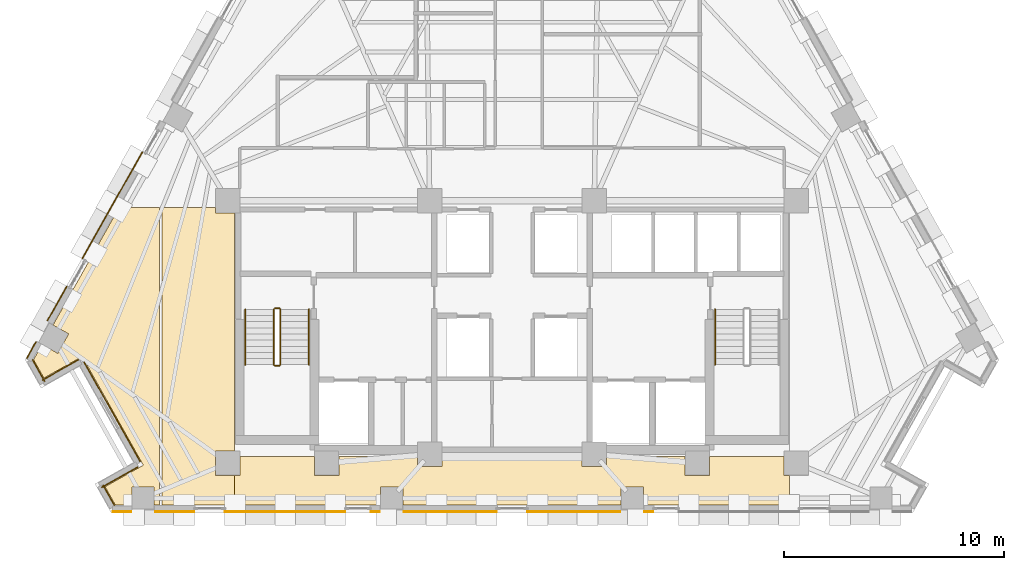
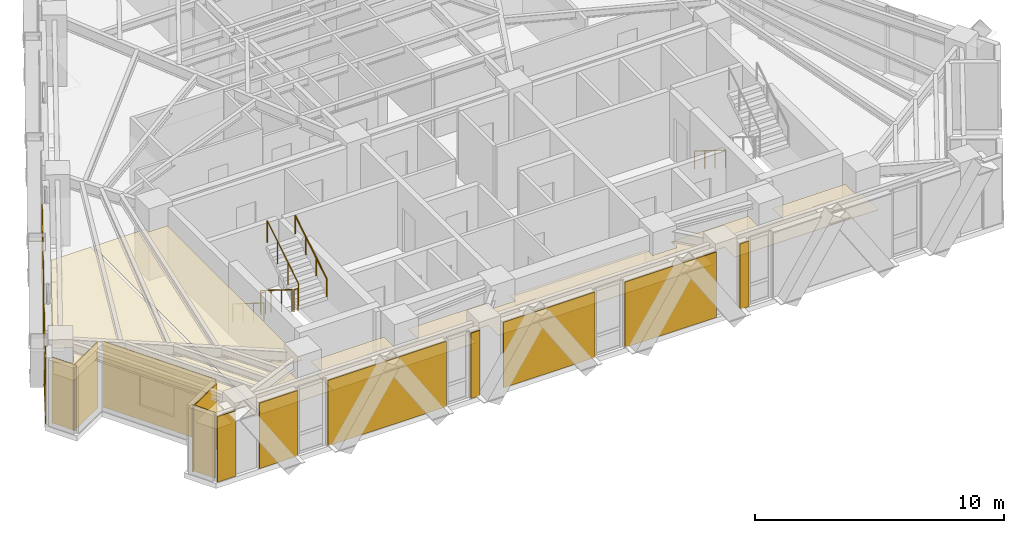
# One storey, part 10 of 13: 18 coverings, 7 railings.
"""IFC4 building model written with IfcOpenShell, lengths in metres."""

from ifc_helpers import new_model, si_unit, direction, frame, origin, origin_2d, place, context, subcontext, project, spatial, polyline, circle, outline, extrude, material, layer, layer_set, type_object, element, save


model = new_model("IFC4")

# Units and contexts
model_context = context("Model", 3, precision=1e-05, world=origin(), true_north=direction((0.0, 1.0)))
body_context = subcontext(model_context, "Body", "Model", "MODEL_VIEW")
ifc_project = project(units=[si_unit("LENGTHUNIT", "METRE"), si_unit("AREAUNIT", "SQUARE_METRE"), si_unit("VOLUMEUNIT", "CUBIC_METRE"), si_unit("PLANEANGLEUNIT", "RADIAN"), si_unit("MASSUNIT", "GRAM", prefix="KILO")], contexts=[model_context])

# Site, building, storey
site_placement = place(None, origin())
site = spatial("IfcSite", under=ifc_project, at=site_placement, CompositionType="ELEMENT")
building_placement = place(site_placement, origin())
building = spatial("IfcBuilding", under=site, at=building_placement, Name="Quenlor Broadcast Tower", CompositionType="ELEMENT")
storey_placement = place(building_placement, frame((0.0, 0.0, 147.5)))
storey = spatial("IfcBuildingStorey", under=building, at=storey_placement, Name="L40", CompositionType="ELEMENT", Elevation=147.5)

# Coverings
ifc_material_1 = material(Name="Acoustic Mineral Fibre Board", Category="other")
ifc_layer_1 = layer(ifc_material_1, 0.02490234375)
ifc_layer_set_1 = layer_set([ifc_layer_1], Name="Acoustic Perforated Mineral Tile Ceiling 25")
covering_type_1 = type_object("IfcCoveringType", Name="Acoustic Perforated Mineral Tile Ceiling 25", PredefinedType="CEILING", material=ifc_layer_set_1)
covering_1_placement = place(storey_placement, frame((0.0, 0.0, 2.375)))
element("IfcCovering", 1, at=covering_1_placement, inside=storey, type_object=covering_type_1, Name="L40 Acoustic Ceiling L40-35-4", PredefinedType="CEILING", context=body_context, shape_type="SweptSolid", body=[
    extrude(outline(polyline([(-13.508056640625, -5.35791015625), (-12.64990234375, -5.35791015625), (-12.64990234375, -16.19189453125), (-13.508056640625, -16.19189453125), (-13.508056640625, -17.30810546875), (-12.64990234375, -17.30810546875), (-12.64990234375, -18.659912109375), (-15.93994140625, -18.659912109375), (-15.93994140625, -5.1201171875), (-13.508056640625, -5.1201171875), (-13.508056640625, -5.35791015625)])), origin(), (0.0, 0.0, 1.0), 0.02490234375),
])
covering_2_placement = place(storey_placement, frame((0.0, 0.0, 2.375)))
element("IfcCovering", 2, at=covering_2_placement, inside=storey, type_object=covering_type_1, Name="L40 Acoustic Ceiling L40-35-5", PredefinedType="CEILING", context=body_context, shape_type="SweptSolid", body=[
    extrude(outline(polyline([(-16.06005859375, -18.659912109375), (-16.30029296875, -18.659912109375), (-16.30029296875, -17.842041015625), (-17.31640625, -17.842041015625), (-17.31640625, -18.659912109375), (-18.071044921875, -18.659912109375), (-18.538818359375, -17.82861328125), (-16.795654296875, -16.847900390625), (-19.580322265625, -11.8974609375), (-21.323486328125, -12.878173828125), (-21.794921875, -12.0400390625), (-21.406982421875, -11.350341796875), (-20.694091796875, -11.751220703125), (-20.19580078125, -10.86572265625), (-20.90869140625, -10.46484375), (-17.90234375, -5.1201171875), (-16.06005859375, -5.1201171875), (-16.06005859375, -18.659912109375)])), origin(), (0.0, 0.0, 1.0), 0.02490234375),
])
covering_3_placement = place(storey_placement, frame((0.0, 0.0, 2.375)))
element("IfcCovering", 3, at=covering_3_placement, inside=storey, type_object=covering_type_1, Name="L40 Acoustic Ceiling L40-35-7", PredefinedType="CEILING", context=body_context, shape_type="SweptSolid", body=[
    extrude(outline(polyline([(-12.39208984375, -17.30810546875), (-12.39208984375, -16.449951171875), (-9.008056640625, -16.449951171875), (-9.008056640625, -17.30810546875), (-7.89208984375, -17.30810546875), (-7.89208984375, -16.449951171875), (-4.30810546875, -16.449951171875), (-4.30810546875, -16.907958984375), (-3.19189453125, -16.907958984375), (-3.19189453125, -16.449951171875), (3.19189453125, -16.449951171875), (3.19189453125, -16.907958984375), (4.30810546875, -16.907958984375), (4.30810546875, -16.449951171875), (7.89208984375, -16.449951171875), (7.89208984375, -17.30810546875), (9.008056640625, -17.30810546875), (9.008056640625, -16.449951171875), (12.39208984375, -16.449951171875), (12.39208984375, -17.30810546875), (12.64990234375, -17.30810546875), (12.64990234375, -18.659912109375), (5.989013671875, -18.659912109375), (5.989013671875, -17.842041015625), (4.972900390625, -17.842041015625), (4.972900390625, -18.659912109375), (-4.972900390625, -18.659912109375), (-4.972900390625, -17.842041015625), (-5.989013671875, -17.842041015625), (-5.989013671875, -18.659912109375), (-12.64990234375, -18.659912109375), (-12.64990234375, -17.30810546875), (-12.39208984375, -17.30810546875)])), origin(), (0.0, 0.0, 1.0), 0.02490234375),
])
ifc_material_2 = material(Name="Architectural Terracotta Ceramic", Category="masonry")
ifc_layer_2 = layer(ifc_material_2, 0.044921875)
ifc_layer_set_2 = layer_set([ifc_layer_2], Name="Fluted Terracotta Rainscreen Cladding Panel")
covering_type_2 = type_object("IfcCoveringType", Name="Fluted Terracotta Rainscreen Cladding Panel", PredefinedType="CLADDING", material=ifc_layer_set_2)
covering_4_placement = place(storey_placement, frame((0.0, 0.0, 0.02001953125)))
element("IfcCovering", 4, at=covering_4_placement, inside=storey, type_object=covering_type_2, Name="L40 Terracotta Rainscreen Cladding L40-SHD-SS1", PredefinedType="CLADDING", context=body_context, shape_type="SweptSolid", body=[
    extrude(outline(polyline([(-17.343505859375, -18.93701171875), (-18.179931640625, -18.93701171875), (-18.179931640625, -18.98193359375), (-17.343505859375, -18.98193359375), (-17.343505859375, -18.93701171875)])), origin(), (0.0, 0.0, 1.0), 3.2099609375),
])
covering_5_placement = place(storey_placement, frame((0.0, 0.0, 0.02001953125)))
element("IfcCovering", 5, at=covering_5_placement, inside=storey, type_object=covering_type_2, Name="L40 Terracotta Rainscreen Cladding L40-SA-SP3", PredefinedType="CLADDING", context=body_context, shape_type="SweptSolid", body=[
    extrude(outline(polyline([(6.43603515625, -18.95703125), (6.035888671875, -18.95703125), (6.035888671875, -19.001953125), (6.43603515625, -19.001953125), (6.43603515625, -18.95703125)])), origin(), (0.0, 0.0, 1.0), 3.2099609375),
])
covering_6_placement = place(storey_placement, frame((0.0, 0.0, 0.02001953125)))
element("IfcCovering", 6, at=covering_6_placement, inside=storey, type_object=covering_type_2, Name="L40 Terracotta Rainscreen Cladding L40-SC-SP1", PredefinedType="CLADDING", context=body_context, shape_type="SweptSolid", body=[
    extrude(outline(polyline([(-6.035888671875, -18.95703125), (-6.43603515625, -18.95703125), (-6.43603515625, -19.001953125), (-6.035888671875, -19.001953125), (-6.035888671875, -18.95703125)])), origin(), (0.0, 0.0, 1.0), 3.2099609375),
])
covering_7_placement = place(storey_placement, frame((0.0, 0.0, 0.02001953125)))
element("IfcCovering", 7, at=covering_7_placement, inside=storey, type_object=covering_type_2, Name="L40 Terracotta Rainscreen Cladding L40-SC-SP2", PredefinedType="CLADDING", context=body_context, shape_type="SweptSolid", body=[
    extrude(outline(polyline([(-7.5869140625, -18.95703125), (-13.076904296875, -18.95703125), (-13.076904296875, -19.001953125), (-7.5869140625, -19.001953125), (-7.5869140625, -18.95703125)])), origin(), (0.0, 0.0, 1.0), 3.2099609375),
])
covering_8_placement = place(storey_placement, frame((0.0, 0.0, 0.02001953125)))
element("IfcCovering", 8, at=covering_8_placement, inside=storey, type_object=covering_type_2, Name="L40 Terracotta Rainscreen Cladding L40-SC-SP3", PredefinedType="CLADDING", context=body_context, shape_type="SweptSolid", body=[
    extrude(outline(polyline([(-14.47509765625, -18.95703125), (-16.25341796875, -18.95703125), (-16.25341796875, -19.001953125), (-14.47509765625, -19.001953125), (-14.47509765625, -18.95703125)])), origin(), (0.0, 0.0, 1.0), 3.2099609375),
])
covering_9_placement = place(storey_placement, frame((0.0, 0.0, 0.02001953125)))
element("IfcCovering", 9, at=covering_9_placement, inside=storey, type_object=covering_type_2, Name="L40 Terracotta Rainscreen Cladding L40-S-SP1", PredefinedType="CLADDING", context=body_context, shape_type="SweptSolid", body=[
    extrude(outline(polyline([(4.930908203125, -18.95703125), (0.698974609375, -18.95703125), (0.698974609375, -19.001953125), (4.930908203125, -19.001953125), (4.930908203125, -18.95703125)])), origin(), (0.0, 0.0, 1.0), 3.2099609375),
])
covering_10_placement = place(storey_placement, frame((0.0, 0.0, 0.02001953125)))
element("IfcCovering", 10, at=covering_10_placement, inside=storey, type_object=covering_type_2, Name="L40 Terracotta Rainscreen Cladding L40-S-SP2", PredefinedType="CLADDING", context=body_context, shape_type="SweptSolid", body=[
    extrude(outline(polyline([(-0.698974609375, -18.95703125), (-4.930908203125, -18.95703125), (-4.930908203125, -19.001953125), (-0.698974609375, -19.001953125), (-0.698974609375, -18.95703125)])), origin(), (0.0, 0.0, 1.0), 3.2099609375),
])
covering_11_placement = place(storey_placement, frame((0.0, 0.0, 0.02001953125)))
element("IfcCovering", 11, at=covering_11_placement, inside=storey, type_object=covering_type_2, Name="L40 Terracotta Rainscreen Cladding L40-SHD-NWS0", PredefinedType="CLADDING", context=body_context, shape_type="SweptSolid", body=[
    extrude(outline(polyline([(-22.0859375, -11.992431640625), (-21.66162109375, -11.23779296875), (-21.70068359375, -11.2158203125), (-22.125244140625, -11.970458984375), (-22.0859375, -11.992431640625)])), origin(), (0.0, 0.0, 1.0), 3.2099609375),
])
covering_12_placement = place(storey_placement, frame((0.0, 0.0, 0.02001953125)))
element("IfcCovering", 12, at=covering_12_placement, inside=storey, type_object=covering_type_2, Name="L40 Terracotta Rainscreen Cladding L40-NWA-SP1", PredefinedType="CLADDING", context=body_context, shape_type="SweptSolid", body=[
    extrude(outline(polyline([(-21.14453125, -10.278076171875), (-20.26416015625, -8.712646484375), (-20.30322265625, -8.690673828125), (-21.183837890625, -10.256103515625), (-21.14453125, -10.278076171875)])), origin(), (0.0, 0.0, 1.0), 3.2099609375),
])
covering_13_placement = place(storey_placement, frame((0.0, 0.0, 0.02001953125)))
element("IfcCovering", 13, at=covering_13_placement, inside=storey, type_object=covering_type_2, Name="L40 Terracotta Rainscreen Cladding L40-NWA-SP2", PredefinedType="CLADDING", context=body_context, shape_type="SweptSolid", body=[
    extrude(outline(polyline([(-19.55322265625, -7.44921875), (-16.81591796875, -2.582763671875), (-16.855224609375, -2.560791015625), (-19.592529296875, -7.42724609375), (-19.55322265625, -7.44921875)])), origin(), (0.0, 0.0, 1.0), 3.2099609375),
])
covering_14_placement = place(storey_placement, frame((0.0, 0.0, 0.02001953125)))
element("IfcCovering", 14, at=covering_14_placement, inside=storey, type_object=covering_type_2, Name="L40 Terracotta Rainscreen Cladding L40-CNR-12", PredefinedType="CLADDING", context=body_context, shape_type="SweptSolid", body=[
    extrude(outline(polyline([(-21.864501953125, -12.0546875), (-21.309326171875, -13.0419921875), (-21.27001953125, -13.02001953125), (-21.825439453125, -12.03271484375), (-21.864501953125, -12.0546875)])), origin(), (0.0, 0.0, 1.0), 3.2099609375),
])
covering_15_placement = place(storey_placement, frame((0.0, 0.0, 0.02001953125)))
element("IfcCovering", 15, at=covering_15_placement, inside=storey, type_object=covering_type_2, Name="L40 Terracotta Rainscreen Cladding L40-CNR-13", PredefinedType="CLADDING", context=body_context, shape_type="SweptSolid", body=[
    extrude(outline(polyline([(-21.385986328125, -12.9912109375), (-19.72998046875, -12.059814453125), (-19.752197265625, -12.0205078125), (-21.408203125, -12.9521484375), (-21.385986328125, -12.9912109375)])), origin(), (0.0, 0.0, 1.0), 3.2099609375),
])
covering_16_placement = place(storey_placement, frame((0.0, 0.0, 0.02001953125)))
element("IfcCovering", 16, at=covering_16_placement, inside=storey, type_object=covering_type_2, Name="L40 Terracotta Rainscreen Cladding L40-CNR-14", PredefinedType="CLADDING", context=body_context, shape_type="SweptSolid", body=[
    extrude(outline(polyline([(-19.51708984375, -12.148681640625), (-16.9580078125, -16.6982421875), (-16.918701171875, -16.67626953125), (-19.477783203125, -12.126708984375), (-19.51708984375, -12.148681640625)])), origin(), (0.0, 0.0, 1.0), 3.2099609375),
])
covering_17_placement = place(storey_placement, frame((0.0, 0.0, 0.02001953125)))
element("IfcCovering", 17, at=covering_17_placement, inside=storey, type_object=covering_type_2, Name="L40 Terracotta Rainscreen Cladding L40-CNR-15", PredefinedType="CLADDING", context=body_context, shape_type="SweptSolid", body=[
    extrude(outline(polyline([(-17.046875, -16.911376953125), (-18.702880859375, -17.8427734375), (-18.680908203125, -17.882080078125), (-17.02490234375, -16.950439453125), (-17.046875, -16.911376953125)])), origin(), (0.0, 0.0, 1.0), 3.2099609375),
])
covering_18_placement = place(storey_placement, frame((0.0, 0.0, 0.02001953125)))
element("IfcCovering", 18, at=covering_18_placement, inside=storey, type_object=covering_type_2, Name="L40 Terracotta Rainscreen Cladding L40-CNR-16", PredefinedType="CLADDING", context=body_context, shape_type="SweptSolid", body=[
    extrude(outline(polyline([(-18.652099609375, -17.76611328125), (-18.127685546875, -18.697998046875), (-18.088623046875, -18.67578125), (-18.61279296875, -17.743896484375), (-18.652099609375, -17.76611328125)])), origin(), (0.0, 0.0, 1.0), 3.2099609375),
])

# Railings
ifc_material_3 = material(Name="Anodised Aluminium", Category="aluminium")
railing_type_1 = type_object("IfcRailingType", Name="Stainless Aluminium Wall Handrail 900", PredefinedType="HANDRAIL", material=ifc_material_3)
railing_1_placement = place(storey_placement, frame((-12.14990234375, -9.75, 0.175048828125)))
element("IfcRailing", 19, at=railing_1_placement, inside=storey, type_object=railing_type_1, Name="L40 ST-1 stair handrail 1", PredefinedType="HANDRAIL", context=body_context, shape_type="SweptSolid", body=[
    extrude(circle(Radius=0.02392578125, at=origin_2d()), frame((0.0, 0.0, 0.8759765625), z_axis=(0.0, -0.848007534815, 0.529984170421), x_axis=(1.0, 0.0, 0.0)), (0.0, 0.0, 1.0), 2.9716796875),
    extrude(circle(Radius=0.02099609375, at=origin_2d()), origin(), (0.0, 0.0, 1.0), 0.851806640625),
    extrude(circle(Radius=0.02099609375, at=origin_2d()), frame((0.0, -0.840087890625, 0.52490234375)), (0.0, 0.0, 1.0), 0.851806640625),
    extrude(circle(Radius=0.02099609375, at=origin_2d()), frame((0.0, -1.679931640625, 1.050048828125)), (0.0, 0.0, 1.0), 0.851806640625),
    extrude(circle(Radius=0.02099609375, at=origin_2d()), frame((0.0, -2.52001953125, 1.574951171875)), (0.0, 0.0, 1.0), 0.851806640625),
])
railing_2_placement = place(storey_placement, frame((-9.25, -12.27001953125, 1.925048828125)))
element("IfcRailing", 20, at=railing_2_placement, inside=storey, type_object=railing_type_1, Name="L40 ST-1 stair handrail 2", PredefinedType="HANDRAIL", context=body_context, shape_type="SweptSolid", body=[
    extrude(circle(Radius=0.02392578125, at=origin_2d()), frame((0.0, 0.0, 0.8759765625), z_axis=(0.0, 0.848007534815, 0.529984170421), x_axis=(-1.0, 0.0, 0.0)), (0.0, 0.0, 1.0), 2.9716796875),
    extrude(circle(Radius=0.02099609375, at=origin_2d()), origin(), (0.0, 0.0, 1.0), 0.851806640625),
    extrude(circle(Radius=0.02099609375, at=origin_2d()), frame((0.0, 0.840087890625, 0.52490234375)), (0.0, 0.0, 1.0), 0.851806640625),
    extrude(circle(Radius=0.02099609375, at=origin_2d()), frame((0.0, 1.679931640625, 1.050048828125)), (0.0, 0.0, 1.0), 0.851806640625),
    extrude(circle(Radius=0.02099609375, at=origin_2d()), frame((0.0, 2.52001953125, 1.574951171875)), (0.0, 0.0, 1.0), 0.851806640625),
])
railing_3_placement = place(storey_placement, frame((9.25, -9.75, 0.175048828125)))
element("IfcRailing", 21, at=railing_3_placement, inside=storey, type_object=railing_type_1, Name="L40 ST-2 stair handrail 1", PredefinedType="HANDRAIL", context=body_context, shape_type="SweptSolid", body=[
    extrude(circle(Radius=0.02392578125, at=origin_2d()), frame((0.0, 0.0, 0.8759765625), z_axis=(0.0, -0.848007534815, 0.529984170421), x_axis=(1.0, 0.0, 0.0)), (0.0, 0.0, 1.0), 2.9716796875),
    extrude(circle(Radius=0.02099609375, at=origin_2d()), origin(), (0.0, 0.0, 1.0), 0.851806640625),
    extrude(circle(Radius=0.02099609375, at=origin_2d()), frame((0.0, -0.840087890625, 0.52490234375)), (0.0, 0.0, 1.0), 0.851806640625),
    extrude(circle(Radius=0.02099609375, at=origin_2d()), frame((0.0, -1.679931640625, 1.050048828125)), (0.0, 0.0, 1.0), 0.851806640625),
    extrude(circle(Radius=0.02099609375, at=origin_2d()), frame((0.0, -2.52001953125, 1.574951171875)), (0.0, 0.0, 1.0), 0.851806640625),
])
ifc_material_4 = material(Name="Steel S355", Category="steel")
railing_type_2 = type_object("IfcRailingType", Name="Tubular Steel S355 Stair Guardrail 1100", PredefinedType="BALUSTRADE", material=ifc_material_4)
railing_4_placement = place(storey_placement, frame((-10.85009765625, -9.75, 0.175048828125)))
element("IfcRailing", 22, at=railing_4_placement, inside=storey, type_object=railing_type_2, Name="L40 ST-1 stair guard 1", PredefinedType="BALUSTRADE", context=body_context, shape_type="SweptSolid", body=[
    extrude(circle(Radius=0.02392578125, at=origin_2d()), frame((0.0, 0.0, 1.076171875), z_axis=(0.0, -0.848007534815, 0.529984170421), x_axis=(1.0, 0.0, 0.0)), (0.0, 0.0, 1.0), 2.9716796875),
    extrude(circle(Radius=0.02099609375, at=origin_2d()), origin(), (0.0, 0.0, 1.0), 1.052001953125),
    extrude(circle(Radius=0.02099609375, at=origin_2d()), frame((0.0, -0.840087890625, 0.52490234375)), (0.0, 0.0, 1.0), 1.052001953125),
    extrude(circle(Radius=0.02099609375, at=origin_2d()), frame((0.0, -1.679931640625, 1.050048828125)), (0.0, 0.0, 1.0), 1.052001953125),
    extrude(circle(Radius=0.02099609375, at=origin_2d()), frame((0.0, -2.52001953125, 1.574951171875)), (0.0, 0.0, 1.0), 1.052001953125),
])
railing_5_placement = place(storey_placement, frame((-10.800048828125, -12.320068359375, 1.75)))
element("IfcRailing", 23, at=railing_5_placement, inside=storey, type_object=railing_type_2, Name="L40 ST-1 stair guard 2", PredefinedType="BALUSTRADE", context=body_context, shape_type="SweptSolid", body=[
    extrude(circle(Radius=0.02392578125, at=origin_2d()), frame((0.0, 0.0, 1.076171875), z_axis=(1.0, 0.0, 0.0), x_axis=(0.0, 1.0, 0.0)), (0.0, 0.0, 1.0), 0.199951171875),
    extrude(circle(Radius=0.02099609375, at=origin_2d()), origin(), (0.0, 0.0, 1.0), 1.052001953125),
    extrude(circle(Radius=0.02099609375, at=origin_2d()), frame((0.199951171875, 0.0, 0.0)), (0.0, 0.0, 1.0), 1.052001953125),
])
railing_6_placement = place(storey_placement, frame((-10.550048828125, -12.27001953125, 1.925048828125)))
element("IfcRailing", 24, at=railing_6_placement, inside=storey, type_object=railing_type_2, Name="L40 ST-1 stair guard 3", PredefinedType="BALUSTRADE", context=body_context, shape_type="SweptSolid", body=[
    extrude(circle(Radius=0.02392578125, at=origin_2d()), frame((0.0, 0.0, 1.076171875), z_axis=(0.0, 0.848007534815, 0.529984170421), x_axis=(-1.0, 0.0, 0.0)), (0.0, 0.0, 1.0), 2.9716796875),
    extrude(circle(Radius=0.02099609375, at=origin_2d()), origin(), (0.0, 0.0, 1.0), 1.052001953125),
    extrude(circle(Radius=0.02099609375, at=origin_2d()), frame((0.0, 0.840087890625, 0.52490234375)), (0.0, 0.0, 1.0), 1.052001953125),
    extrude(circle(Radius=0.02099609375, at=origin_2d()), frame((0.0, 1.679931640625, 1.050048828125)), (0.0, 0.0, 1.0), 1.052001953125),
    extrude(circle(Radius=0.02099609375, at=origin_2d()), frame((0.0, 2.52001953125, 1.574951171875)), (0.0, 0.0, 1.0), 1.052001953125),
])
railing_7_placement = place(storey_placement, frame((-10.800048828125, -9.699951171875, 0.0)))
element("IfcRailing", 25, at=railing_7_placement, inside=storey, type_object=railing_type_2, Name="L40 ST-1 stair guard 4", PredefinedType="BALUSTRADE", context=body_context, shape_type="SweptSolid", body=[
    extrude(circle(Radius=0.02392578125, at=origin_2d()), frame((0.0, 0.0, 1.076171875), z_axis=(1.0, 0.0, 0.0), x_axis=(0.0, 1.0, 0.0)), (0.0, 0.0, 1.0), 0.199951171875),
    extrude(circle(Radius=0.02099609375, at=origin_2d()), origin(), (0.0, 0.0, 1.0), 1.052001953125),
    extrude(circle(Radius=0.02099609375, at=origin_2d()), frame((0.199951171875, 0.0, 0.0)), (0.0, 0.0, 1.0), 1.052001953125),
])

save(model, "model.ifc")
